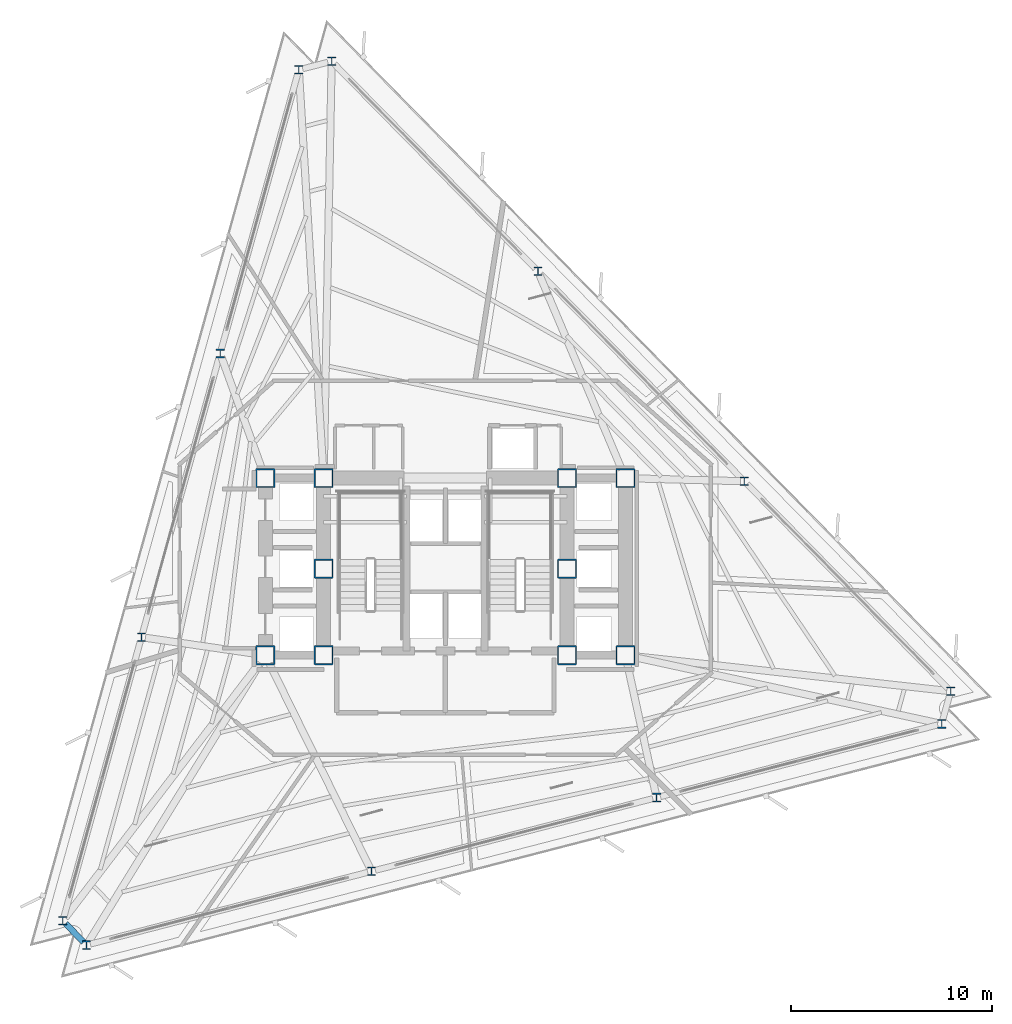
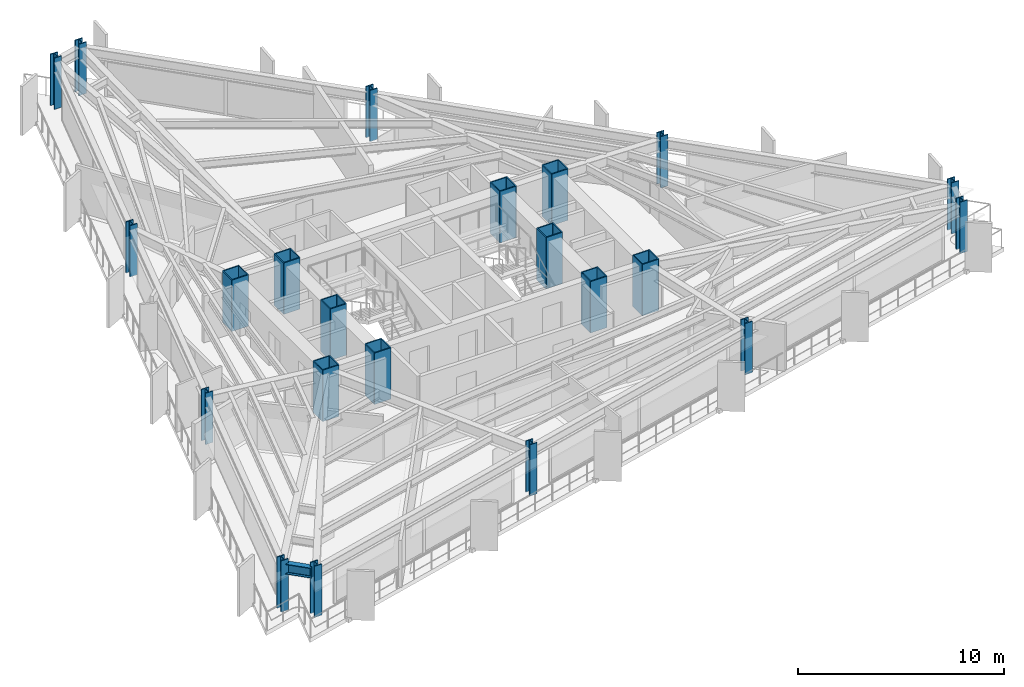
# One storey, part 1 of 11: 22 columns, 1 beam.
"""IFC4 building model written with IfcOpenShell, lengths in metres."""

from ifc_helpers import new_model, si_unit, direction, frame, origin, origin_2d, place, context, subcontext, project, spatial, hollow_rectangle, i_section, extrude, material, material_profile, profile_set, type_object, element, save


model = new_model("IFC4")

# Units and contexts
model_context = context("Model", 3, precision=1e-05, world=origin(), true_north=direction((0.0, 1.0)))
body_context = subcontext(model_context, "Body", "Model", "MODEL_VIEW")
ifc_project = project(units=[si_unit("LENGTHUNIT", "METRE"), si_unit("AREAUNIT", "SQUARE_METRE"), si_unit("VOLUMEUNIT", "CUBIC_METRE"), si_unit("PLANEANGLEUNIT", "RADIAN"), si_unit("MASSUNIT", "GRAM", prefix="KILO")], contexts=[model_context])

# Site, building, storey
site_placement = place(None, origin())
site = spatial("IfcSite", under=ifc_project, at=site_placement, CompositionType="ELEMENT")
building_placement = place(site_placement, origin())
building = spatial("IfcBuilding", under=site, at=building_placement, Name="Rocaltana Carrier Exchange", CompositionType="ELEMENT")
storey_placement = place(building_placement, frame((0.0, 0.0, 94.719970703125)))
storey = spatial("IfcBuildingStorey", under=building, at=storey_placement, Name="L29", CompositionType="ELEMENT", Elevation=94.719970703125)

# Columns
ifc_material_1 = material(Name="Steel S460", Category="steel")
ifc_material_profile_1 = material_profile(ifc_material_1, hollow_rectangle(XDim=0.949951171875, YDim=0.949951171875, WallThickness=0.06005859375, InnerFilletRadius=0.02001953125, OuterFilletRadius=0.0400390625, at=origin_2d()), Name="BOX950X950X60")
ifc_profile_set_1 = profile_set([ifc_material_profile_1], Name="Steel S460")
column_type_1 = type_object("IfcColumnType", Name="Core Mega-Column BOX950", PredefinedType="COLUMN", material=ifc_profile_set_1)
for number, where, z_axis, x_axis, name in (
    (1, (-6.050048828125, 4.5, 0.0), (0.0, 0.0, 1.0), (1.0, 0.0, 0.0), "L29 Core Mega-Column MC1"),
    (2, (6.050048828125, 4.5, 0.0), (0.0, 0.0, 1.0), (1.0, 0.0, 0.0), "L29 Core Mega-Column MC2"),
    (3, (-6.050048828125, 0.0, 0.0), (0.0, 0.0, 1.0), (1.0, 0.0, 0.0), "L29 Core Mega-Column MC3"),
    (4, (6.050048828125, 0.0, 0.0), (0.0, 0.0, 1.0), (1.0, 0.0, 0.0), "L29 Core Mega-Column MC4"),
    (5, (-6.050048828125, -4.300048828125, 0.0), (0.0, 0.0, 1.0), (1.0, 0.0, 0.0), "L29 Core Mega-Column MC5"),
    (6, (6.050048828125, -4.300048828125, 0.0), (0.0, 0.0, 1.0), (1.0, 0.0, 0.0), "L29 Core Mega-Column MC6"),
    (7, (-8.949951171875, 4.5, 0.0), (0.0, 0.0, 1.0), (1.0, 0.0, 0.0), "L29 West Core Column WC1"),
    (8, (-8.949951171875, -4.300048828125, 0.0), (0.0, 0.0, 1.0), (1.0, 0.0, 0.0), "L29 West Core Column WC2"),
    (9, (8.949951171875, 4.5, 0.0), (0.0, 0.0, 1.0), (1.0, 0.0, 0.0), "L29 East Core Column EC1"),
    (10, (8.949951171875, -4.300048828125, 0.0), (0.0, 0.0, 1.0), (1.0, 0.0, 0.0), "L29 East Core Column EC2"),
):
    element("IfcColumn", number, at=place(storey_placement, frame(where, z_axis=z_axis, x_axis=x_axis)), inside=storey, type_object=column_type_1, Name=name, PredefinedType="COLUMN", context=body_context, shape_type="SweptSolid", body=[
        extrude(hollow_rectangle(XDim=0.949951171875, YDim=0.949951171875, WallThickness=0.06005859375, InnerFilletRadius=0.02001953125, OuterFilletRadius=0.0400390625, at=origin_2d()), origin(), (0.0, 0.0, 1.0), 3.0400390625),
    ])
ifc_material_2 = material(Name="Steel S460", Category="steel")
ifc_material_profile_2 = material_profile(ifc_material_2, i_section(OverallWidth=0.412109375, OverallDepth=0.43505859375, WebThickness=0.035888671875, FlangeThickness=0.057373046875, FilletRadius=0.02197265625, at=origin_2d()), Name="W14X311")
ifc_profile_set_2 = profile_set([ifc_material_profile_2], Name="Steel S460")
column_type_2 = type_object("IfcColumnType", Name="Perimeter Column W14X311", PredefinedType="COLUMN", material=ifc_profile_set_2)
for number, where, z_axis, x_axis, name in (
    (11, (25.11767578125, -6.091552734375, 0.0), (0.0, 0.0, 1.0), (1.0, 0.0, 0.0), "L29 Perimeter Column TC01"),
    (12, (14.861083984375, 4.345703125, 0.0), (0.0, 0.0, 1.0), (1.0, 0.0, 0.0), "L29 Perimeter Column TC02"),
    (13, (4.6044921875, 14.782958984375, 0.0), (0.0, 0.0, 1.0), (1.0, 0.0, 0.0), "L29 Perimeter Column TC03"),
    (14, (-5.652099609375, 25.22021484375, 0.0), (0.0, 0.0, 1.0), (1.0, 0.0, 0.0), "L29 Perimeter Column TC04"),
    (15, (-7.283447265625, 24.79833984375, 0.0), (0.0, 0.0, 1.0), (1.0, 0.0, 0.0), "L29 Perimeter Column TC05"),
    (16, (-11.194091796875, 10.697265625, 0.0), (0.0, 0.0, 1.0), (1.0, 0.0, 0.0), "L29 Perimeter Column TC06"),
    (17, (-15.1044921875, -3.40380859375, 0.0), (0.0, 0.0, 1.0), (1.0, 0.0, 0.0), "L29 Perimeter Column TC07"),
    (18, (-19.01513671875, -17.505126953125, 0.0), (0.0, 0.0, 1.0), (1.0, 0.0, 0.0), "L29 Perimeter Column TC08"),
    (19, (-17.834228515625, -18.706787109375, 0.0), (0.0, 0.0, 1.0), (1.0, 0.0, 0.0), "L29 Perimeter Column TC09"),
    (20, (-3.6669921875, -15.04296875, 0.0), (0.0, 0.0, 1.0), (1.0, 0.0, 0.0), "L29 Perimeter Column TC10"),
    (21, (10.500244140625, -11.37890625, 0.0), (0.0, 0.0, 1.0), (1.0, 0.0, 0.0), "L29 Perimeter Column TC11"),
    (22, (24.66748046875, -7.715087890625, 0.0), (0.0, 0.0, 1.0), (1.0, 0.0, 0.0), "L29 Perimeter Column TC12"),
):
    element("IfcColumn", number, at=place(storey_placement, frame(where, z_axis=z_axis, x_axis=x_axis)), inside=storey, type_object=column_type_2, Name=name, PredefinedType="COLUMN", context=body_context, shape_type="SweptSolid", body=[
        extrude(i_section(OverallWidth=0.412109375, OverallDepth=0.43505859375, WebThickness=0.035888671875, FlangeThickness=0.057373046875, FilletRadius=0.02197265625, at=origin_2d()), origin(), (0.0, 0.0, 1.0), 3.0400390625),
    ])

# Beam
ifc_material_3 = material(Name="Steel S355", Category="steel")
ifc_material_profile_3 = material_profile(ifc_material_3, i_section(OverallWidth=0.300048828125, OverallDepth=0.60009765625, WebThickness=0.015380859375, FlangeThickness=0.030029296875, FilletRadius=0.027099609375, at=origin_2d()), Name="HEB600")
ifc_profile_set_3 = profile_set([ifc_material_profile_3], Name="Steel S355")
beam_type = type_object("IfcBeamType", Name="Spandrel Edge Beam HEB600", PredefinedType="SPANDREL", material=ifc_profile_set_3)
beam_placement = place(storey_placement, frame((-18.87646484375, -17.646240234375, 2.488037109375), z_axis=(0.700924882604, -0.713235100753, 0.0), x_axis=(0.713235100753, 0.700924882604, 0.0)))
element("IfcBeam", 23, at=beam_placement, inside=storey, type_object=beam_type, Name="SP-L29-08", PredefinedType="SPANDREL", context=body_context, shape_type="SweptSolid", body=[
    extrude(i_section(OverallWidth=0.300048828125, OverallDepth=0.60009765625, WebThickness=0.015380859375, FlangeThickness=0.030029296875, FilletRadius=0.027099609375, at=origin_2d()), origin(), (0.0, 0.0, 1.0), 1.2890625),
])

save(model, "model.ifc")
